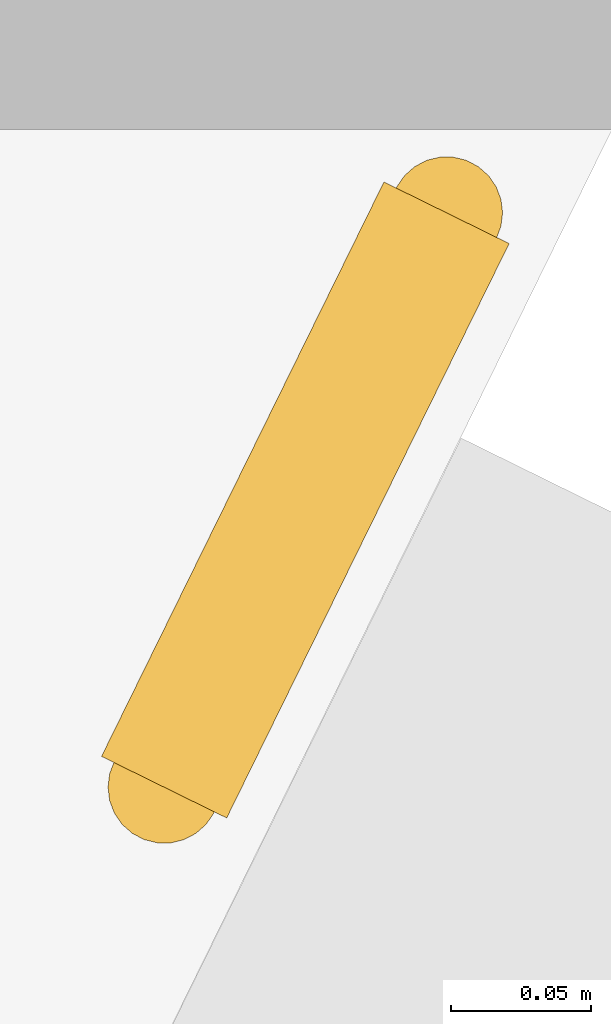
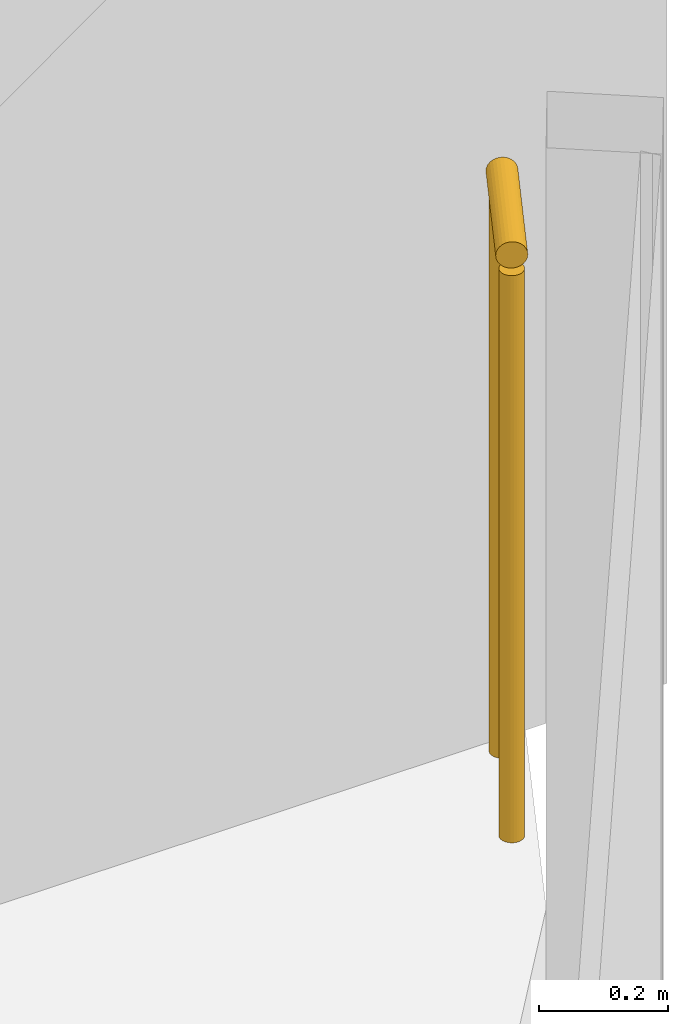
# One storey, part 35 of 38: 1 railing.
"""IFC4 building model written with IfcOpenShell, lengths in metres."""

from ifc_helpers import new_model, si_unit, direction, frame, origin, origin_2d, place, context, subcontext, project, spatial, circle, extrude, material, type_object, element, save


model = new_model("IFC4")

# Units and contexts
model_context = context("Model", 3, precision=1e-05, world=origin(), true_north=direction((0.0, 1.0)))
body_context = subcontext(model_context, "Body", "Model", "MODEL_VIEW")
ifc_project = project(units=[si_unit("LENGTHUNIT", "METRE"), si_unit("AREAUNIT", "SQUARE_METRE"), si_unit("VOLUMEUNIT", "CUBIC_METRE"), si_unit("PLANEANGLEUNIT", "RADIAN"), si_unit("MASSUNIT", "GRAM", prefix="KILO")], contexts=[model_context])

# Site, building, storey
site_placement = place(None, origin())
site = spatial("IfcSite", under=ifc_project, at=site_placement, CompositionType="ELEMENT")
building_placement = place(site_placement, origin())
building = spatial("IfcBuilding", under=site, at=building_placement, Name="Orlundy Tower", CompositionType="ELEMENT")
storey_placement = place(building_placement, frame((0.0, 0.0, 72.800048828125)))
storey = spatial("IfcBuildingStorey", under=building, at=storey_placement, Name="L17", CompositionType="ELEMENT", Elevation=72.800048828125)

# Railing
ifc_material = material(Name="Stainless steel bronze finish", Category="steel")
railing_type = type_object("IfcRailingType", Name="TG1 terrace guard", PredefinedType="GUARDRAIL", material=ifc_material)
railing_placement = place(storey_placement, frame((49.822021484375, -35.700927734375, 0.0)))
element("IfcRailing", 1, at=railing_placement, inside=storey, type_object=railing_type, Name="Guard TG-L17-E00", PredefinedType="GUARDRAIL", context=body_context, shape_type="SweptSolid", body=[
    extrude(circle(Radius=0.02490234375, at=origin_2d()), frame((0.0, 0.0, 1.09521484375), z_axis=(-0.441220934431, -0.897398510707, 0.0), x_axis=(0.897398510707, -0.441220934431, 0.0)), (0.0, 0.0, 1.0), 0.228515625),
    extrude(circle(Radius=0.02001953125, at=origin_2d()), origin(), (0.0, 0.0, 1.0), 1.070068359375),
    extrude(circle(Radius=0.02001953125, at=origin_2d()), frame((-0.100830078125, -0.205078125, 0.0)), (0.0, 0.0, 1.0), 1.070068359375),
])

save(model, "model.ifc")
